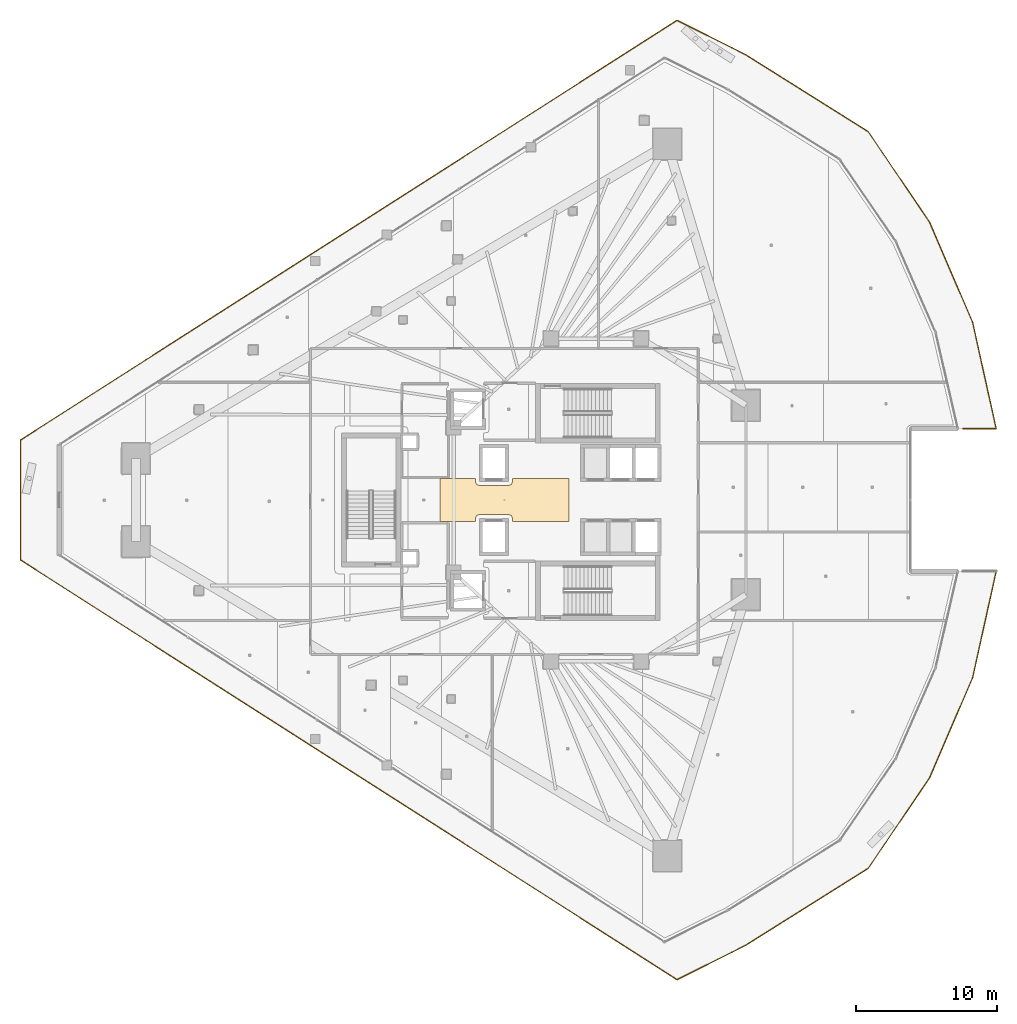
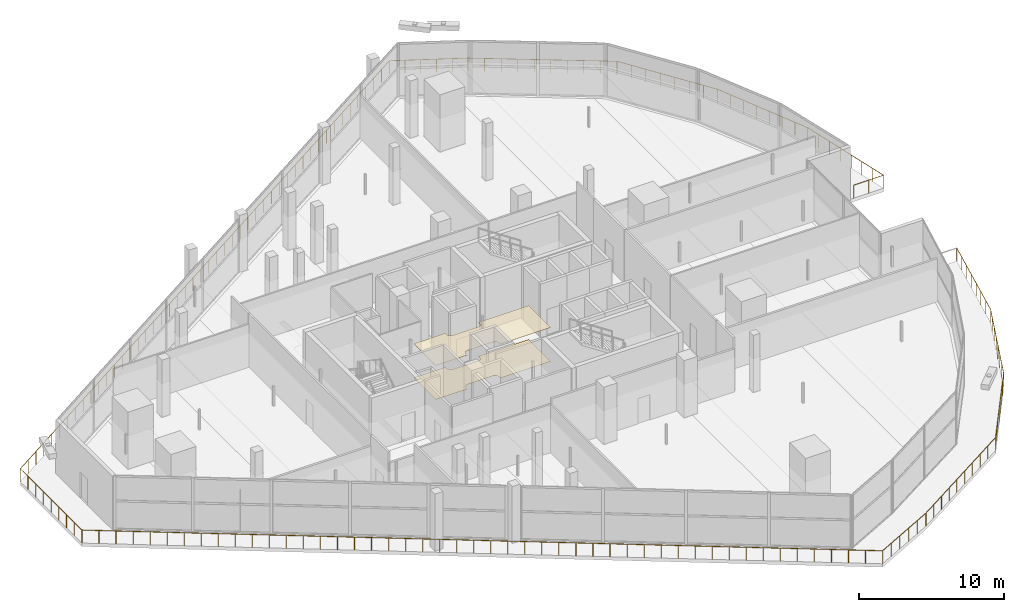
# One storey, part 37 of 42: 2 coverings, 1 railing.
"""IFC4 building model written with IfcOpenShell, lengths in metres."""

from ifc_helpers import new_model, si_unit, direction, frame, origin, origin_2d, place, context, subcontext, project, spatial, polyline, circle, outline, extrude, material, layer, layer_set, type_object, element, save


model = new_model("IFC4")

# Units and contexts
model_context = context("Model", 3, precision=1e-05, world=origin(), true_north=direction((0.0, 1.0)))
body_context = subcontext(model_context, "Body", "Model", "MODEL_VIEW")
ifc_project = project(units=[si_unit("LENGTHUNIT", "METRE"), si_unit("AREAUNIT", "SQUARE_METRE"), si_unit("VOLUMEUNIT", "CUBIC_METRE"), si_unit("PLANEANGLEUNIT", "RADIAN"), si_unit("MASSUNIT", "GRAM", prefix="KILO")], contexts=[model_context])

# Site, building, storey
site_placement = place(None, origin())
site = spatial("IfcSite", under=ifc_project, at=site_placement, CompositionType="ELEMENT")
building_placement = place(site_placement, origin())
building = spatial("IfcBuilding", under=site, at=building_placement, Name="Qorvath Tower", CompositionType="ELEMENT")
storey_placement = place(building_placement, frame((0.0, 0.0, 105.0)))
storey = spatial("IfcBuildingStorey", under=building, at=storey_placement, Name="L23", CompositionType="ELEMENT", Elevation=105.0)

# Coverings
ifc_material_1 = material(Name="Acoustic mineral fibre ceiling tile", Category="gypsum")
ifc_layer_1 = layer(ifc_material_1, 0.030029296875)
ifc_layer_set_1 = layer_set([ifc_layer_1], Name="COV-CEIL")
covering_type_1 = type_object("IfcCoveringType", Name="COV-CEIL", PredefinedType="CEILING", material=ifc_layer_set_1)
covering_1_placement = place(storey_placement, frame((0.0, 0.0, 2.85009765625)))
element("IfcCovering", 1, at=covering_1_placement, inside=storey, type_object=covering_type_1, Name="L23 Suspended Acoustic Ceiling 007", PredefinedType="CEILING", context=body_context, shape_type="SweptSolid", body=[
    extrude(outline(polyline([(-22.318359375, -1.514892578125), (-22.318359375, 1.514892578125), (-26.340087890625, 1.514892578125), (-26.340087890625, 1.2900390625), (-26.413330078125, 1.11328125), (-26.590087890625, 1.0400390625), (-28.7099609375, 1.0400390625), (-28.88671875, 1.11328125), (-28.9599609375, 1.2900390625), (-28.9599609375, 1.514892578125), (-31.481689453125, 1.514892578125), (-31.481689453125, -1.514892578125), (-28.9599609375, -1.514892578125), (-28.9599609375, -1.2900390625), (-28.88671875, -1.11328125), (-28.7099609375, -1.0400390625), (-26.590087890625, -1.0400390625), (-26.413330078125, -1.11328125), (-26.340087890625, -1.2900390625), (-26.340087890625, -1.514892578125), (-22.318359375, -1.514892578125)])), origin(), (0.0, 0.0, 1.0), 0.030029296875),
])
ifc_material_2 = material(Name="Polished epoxy terrazzo flooring", Category="concrete")
ifc_layer_2 = layer(ifc_material_2, 0.02001953125)
ifc_layer_set_2 = layer_set([ifc_layer_2], Name="COV-FLOOR-TRZ")
covering_type_2 = type_object("IfcCoveringType", Name="COV-FLOOR-TRZ", PredefinedType="FLOORING", material=ifc_layer_set_2)
covering_2_placement = place(storey_placement, origin())
element("IfcCovering", 2, at=covering_2_placement, inside=storey, type_object=covering_type_2, Name="L23 Floor Finish 007", PredefinedType="FLOORING", context=body_context, shape_type="SweptSolid", body=[
    extrude(outline(polyline([(-22.318359375, -1.514892578125), (-22.318359375, 1.514892578125), (-26.340087890625, 1.514892578125), (-26.340087890625, 1.2900390625), (-26.413330078125, 1.11328125), (-26.590087890625, 1.0400390625), (-28.7099609375, 1.0400390625), (-28.88671875, 1.11328125), (-28.9599609375, 1.2900390625), (-28.9599609375, 1.514892578125), (-31.481689453125, 1.514892578125), (-31.481689453125, -1.514892578125), (-28.9599609375, -1.514892578125), (-28.9599609375, -1.2900390625), (-28.88671875, -1.11328125), (-28.7099609375, -1.0400390625), (-26.590087890625, -1.0400390625), (-26.413330078125, -1.11328125), (-26.340087890625, -1.2900390625), (-26.340087890625, -1.514892578125), (-22.318359375, -1.514892578125)])), origin(), (0.0, 0.0, 1.0), 0.014892578125),
])

# Railing
ifc_material_3 = material(Name="Laminated safety glass and stainless steel AISI 316", Category="steel")
railing_type = type_object("IfcRailingType", Name="RL-EXT-GRD", PredefinedType="GUARDRAIL", material=ifc_material_3)
railing_placement = place(storey_placement, frame((7.99609375, -5.054443359375, 0.0)))
element("IfcRailing", 3, at=railing_placement, inside=storey, type_object=railing_type, Name="Loggia Perimeter Guardrail L23-1.1", PredefinedType="GUARDRAIL", context=body_context, shape_type="SweptSolid", body=[
    extrude(circle(Radius=0.02392578125, at=origin_2d()), frame((0.0, 0.0, 1.09619140625), z_axis=(-0.216075350806, -0.976376691023, 0.0), x_axis=(0.976376691023, -0.216075350806, 0.0)), (0.0, 0.0, 1.0), 7.73974609375),
    extrude(circle(Radius=0.02392578125, at=origin_2d()), frame((-1.67236328125, -7.556884765625, 1.09619140625), z_axis=(-0.395487177676, -0.918471497812, 0.0), x_axis=(0.918471497812, -0.395487177676, 0.0)), (0.0, 0.0, 1.0), 7.739990234375),
    extrude(circle(Radius=0.02392578125, at=origin_2d()), frame((-4.7333984375, -14.665771484375, 1.09619140625), z_axis=(-0.560806994293, -0.827946565397, 0.0), x_axis=(0.827946565397, -0.560806994293, 0.0)), (0.0, 0.0, 1.0), 7.739990234375),
    extrude(circle(Radius=0.02392578125, at=origin_2d()), frame((-9.073974609375, -21.073974609375, 1.09619140625), z_axis=(-0.846502477186, -0.532384782012, 0.0), x_axis=(0.532384782012, -0.846502477186, 0.0)), (0.0, 0.0, 1.0), 10.292724609375),
    extrude(circle(Radius=0.02392578125, at=origin_2d()), frame((-17.786865234375, -26.5537109375, 1.09619140625), z_axis=(-0.894427191, -0.4472135955, 0.0), x_axis=(0.4472135955, -0.894427191, 0.0)), (0.0, 0.0, 1.0), 5.436767578125),
    extrude(circle(Radius=0.02392578125, at=origin_2d()), frame((-22.649658203125, -28.985107421875, 1.09619140625), z_axis=(-0.842603619866, 0.538534251268, 0.0), x_axis=(-0.538534251268, -0.842603619866, 0.0)), (0.0, 0.0, 1.0), 55.306884765625),
    extrude(circle(Radius=0.02392578125, at=origin_2d()), frame((-69.25146484375, 0.799560546875, 1.09619140625), z_axis=(0.0, 1.0, 0.0), x_axis=(-1.0, 0.0, 0.0)), (0.0, 0.0, 1.0), 8.509765625),
    extrude(circle(Radius=0.02392578125, at=origin_2d()), frame((-69.25146484375, 9.309326171875, 1.09619140625), z_axis=(0.842603619866, 0.538534251268, 0.0), x_axis=(-0.538534251268, 0.842603619866, 0.0)), (0.0, 0.0, 1.0), 55.306884765625),
    extrude(circle(Radius=0.02392578125, at=origin_2d()), frame((-22.649658203125, 39.093994140625, 1.09619140625), z_axis=(0.894427191, -0.4472135955, 0.0), x_axis=(0.4472135955, 0.894427191, 0.0)), (0.0, 0.0, 1.0), 5.436767578125),
    extrude(circle(Radius=0.02392578125, at=origin_2d()), frame((-17.786865234375, 36.66259765625, 1.09619140625), z_axis=(0.846502477186, -0.532384782012, 0.0), x_axis=(0.532384782012, 0.846502477186, 0.0)), (0.0, 0.0, 1.0), 10.292724609375),
    extrude(circle(Radius=0.02392578125, at=origin_2d()), frame((-9.073974609375, 31.182861328125, 1.09619140625), z_axis=(0.560806994293, -0.827946565397, 0.0), x_axis=(0.827946565397, 0.560806994293, 0.0)), (0.0, 0.0, 1.0), 7.739990234375),
    extrude(circle(Radius=0.02392578125, at=origin_2d()), frame((-4.7333984375, 24.774658203125, 1.09619140625), z_axis=(0.395487177676, -0.918471497812, 0.0), x_axis=(0.918471497812, 0.395487177676, 0.0)), (0.0, 0.0, 1.0), 7.739990234375),
    extrude(circle(Radius=0.02392578125, at=origin_2d()), frame((-1.67236328125, 17.665771484375, 1.09619140625), z_axis=(0.216075350806, -0.976376691023, 0.0), x_axis=(0.976376691023, 0.216075350806, 0.0)), (0.0, 0.0, 1.0), 7.73974609375),
    extrude(circle(Radius=0.02392578125, at=origin_2d()), frame((0.0, 10.10888671875, 1.09619140625), z_axis=(-1.0, 0.0, 0.0), x_axis=(0.0, -1.0, 0.0)), (0.0, 0.0, 1.0), 2.366455078125),
    extrude(circle(Radius=0.02099609375, at=origin_2d()), origin(), (0.0, 0.0, 1.0), 1.072021484375),
    extrude(circle(Radius=0.02099609375, at=origin_2d()), frame((-0.239013671875, -1.07958984375, 0.0)), (0.0, 0.0, 1.0), 1.072021484375),
    extrude(circle(Radius=0.02099609375, at=origin_2d()), frame((-0.477783203125, -2.1591796875, 0.0)), (0.0, 0.0, 1.0), 1.072021484375),
    extrude(circle(Radius=0.02099609375, at=origin_2d()), frame((-0.716796875, -3.23876953125, 0.0)), (0.0, 0.0, 1.0), 1.072021484375),
    extrude(circle(Radius=0.02099609375, at=origin_2d()), frame((-0.95556640625, -4.318115234375, 0.0)), (0.0, 0.0, 1.0), 1.072021484375),
    extrude(circle(Radius=0.02099609375, at=origin_2d()), frame((-1.194580078125, -5.397705078125, 0.0)), (0.0, 0.0, 1.0), 1.072021484375),
    extrude(circle(Radius=0.02099609375, at=origin_2d()), frame((-1.433349609375, -6.477294921875, 0.0)), (0.0, 0.0, 1.0), 1.072021484375),
    extrude(circle(Radius=0.02099609375, at=origin_2d()), frame((-1.67236328125, -7.556884765625, 0.0)), (0.0, 0.0, 1.0), 1.072021484375),
    extrude(circle(Radius=0.02099609375, at=origin_2d()), frame((-2.109619140625, -8.572509765625, 0.0)), (0.0, 0.0, 1.0), 1.072021484375),
    extrude(circle(Radius=0.02099609375, at=origin_2d()), frame((-2.546875, -9.587890625, 0.0)), (0.0, 0.0, 1.0), 1.072021484375),
    extrude(circle(Radius=0.02099609375, at=origin_2d()), frame((-2.984130859375, -10.603515625, 0.0)), (0.0, 0.0, 1.0), 1.072021484375),
    extrude(circle(Radius=0.02099609375, at=origin_2d()), frame((-3.421630859375, -11.619140625, 0.0)), (0.0, 0.0, 1.0), 1.072021484375),
    extrude(circle(Radius=0.02099609375, at=origin_2d()), frame((-3.85888671875, -12.634765625, 0.0)), (0.0, 0.0, 1.0), 1.072021484375),
    extrude(circle(Radius=0.02099609375, at=origin_2d()), frame((-4.296142578125, -13.650146484375, 0.0)), (0.0, 0.0, 1.0), 1.072021484375),
    extrude(circle(Radius=0.02099609375, at=origin_2d()), frame((-4.7333984375, -14.665771484375, 0.0)), (0.0, 0.0, 1.0), 1.072021484375),
    extrude(circle(Radius=0.02099609375, at=origin_2d()), frame((-5.353515625, -15.581298828125, 0.0)), (0.0, 0.0, 1.0), 1.072021484375),
    extrude(circle(Radius=0.02099609375, at=origin_2d()), frame((-5.9736328125, -16.49658203125, 0.0)), (0.0, 0.0, 1.0), 1.072021484375),
    extrude(circle(Radius=0.02099609375, at=origin_2d()), frame((-6.59375, -17.412109375, 0.0)), (0.0, 0.0, 1.0), 1.072021484375),
    extrude(circle(Radius=0.02099609375, at=origin_2d()), frame((-7.213623046875, -18.32763671875, 0.0)), (0.0, 0.0, 1.0), 1.072021484375),
    extrude(circle(Radius=0.02099609375, at=origin_2d()), frame((-7.833740234375, -19.2431640625, 0.0)), (0.0, 0.0, 1.0), 1.072021484375),
    extrude(circle(Radius=0.02099609375, at=origin_2d()), frame((-8.453857421875, -20.158447265625, 0.0)), (0.0, 0.0, 1.0), 1.072021484375),
    extrude(circle(Radius=0.02099609375, at=origin_2d()), frame((-9.073974609375, -21.073974609375, 0.0)), (0.0, 0.0, 1.0), 1.072021484375),
    extrude(circle(Radius=0.02099609375, at=origin_2d()), frame((-10.0419921875, -21.682861328125, 0.0)), (0.0, 0.0, 1.0), 1.072021484375),
    extrude(circle(Radius=0.02099609375, at=origin_2d()), frame((-11.01025390625, -22.291748046875, 0.0)), (0.0, 0.0, 1.0), 1.072021484375),
    extrude(circle(Radius=0.02099609375, at=origin_2d()), frame((-11.978271484375, -22.900634765625, 0.0)), (0.0, 0.0, 1.0), 1.072021484375),
    extrude(circle(Radius=0.02099609375, at=origin_2d()), frame((-12.9462890625, -23.509521484375, 0.0)), (0.0, 0.0, 1.0), 1.072021484375),
    extrude(circle(Radius=0.02099609375, at=origin_2d()), frame((-13.91455078125, -24.1181640625, 0.0)), (0.0, 0.0, 1.0), 1.072021484375),
    extrude(circle(Radius=0.02099609375, at=origin_2d()), frame((-14.882568359375, -24.72705078125, 0.0)), (0.0, 0.0, 1.0), 1.072021484375),
    extrude(circle(Radius=0.02099609375, at=origin_2d()), frame((-15.8505859375, -25.3359375, 0.0)), (0.0, 0.0, 1.0), 1.072021484375),
    extrude(circle(Radius=0.02099609375, at=origin_2d()), frame((-16.81884765625, -25.94482421875, 0.0)), (0.0, 0.0, 1.0), 1.072021484375),
    extrude(circle(Radius=0.02099609375, at=origin_2d()), frame((-17.786865234375, -26.5537109375, 0.0)), (0.0, 0.0, 1.0), 1.072021484375),
    extrude(circle(Radius=0.02099609375, at=origin_2d()), frame((-18.759521484375, -27.0400390625, 0.0)), (0.0, 0.0, 1.0), 1.072021484375),
    extrude(circle(Radius=0.02099609375, at=origin_2d()), frame((-19.73193359375, -27.5263671875, 0.0)), (0.0, 0.0, 1.0), 1.072021484375),
    extrude(circle(Radius=0.02099609375, at=origin_2d()), frame((-20.70458984375, -28.012451171875, 0.0)), (0.0, 0.0, 1.0), 1.072021484375),
    extrude(circle(Radius=0.02099609375, at=origin_2d()), frame((-21.677001953125, -28.498779296875, 0.0)), (0.0, 0.0, 1.0), 1.072021484375),
    extrude(circle(Radius=0.02099609375, at=origin_2d()), frame((-22.649658203125, -28.985107421875, 0.0)), (0.0, 0.0, 1.0), 1.072021484375),
    extrude(circle(Radius=0.02099609375, at=origin_2d()), frame((-23.64111328125, -28.351318359375, 0.0)), (0.0, 0.0, 1.0), 1.072021484375),
    extrude(circle(Radius=0.02099609375, at=origin_2d()), frame((-24.6328125, -27.7177734375, 0.0)), (0.0, 0.0, 1.0), 1.072021484375),
    extrude(circle(Radius=0.02099609375, at=origin_2d()), frame((-25.624267578125, -27.083984375, 0.0)), (0.0, 0.0, 1.0), 1.072021484375),
    extrude(circle(Radius=0.02099609375, at=origin_2d()), frame((-26.61572265625, -26.4501953125, 0.0)), (0.0, 0.0, 1.0), 1.072021484375),
    extrude(circle(Radius=0.02099609375, at=origin_2d()), frame((-27.607177734375, -25.81640625, 0.0)), (0.0, 0.0, 1.0), 1.072021484375),
    extrude(circle(Radius=0.02099609375, at=origin_2d()), frame((-28.598876953125, -25.182861328125, 0.0)), (0.0, 0.0, 1.0), 1.072021484375),
    extrude(circle(Radius=0.02099609375, at=origin_2d()), frame((-29.59033203125, -24.549072265625, 0.0)), (0.0, 0.0, 1.0), 1.072021484375),
    extrude(circle(Radius=0.02099609375, at=origin_2d()), frame((-30.581787109375, -23.915283203125, 0.0)), (0.0, 0.0, 1.0), 1.072021484375),
    extrude(circle(Radius=0.02099609375, at=origin_2d()), frame((-31.573486328125, -23.28173828125, 0.0)), (0.0, 0.0, 1.0), 1.072021484375),
    extrude(circle(Radius=0.02099609375, at=origin_2d()), frame((-32.56494140625, -22.64794921875, 0.0)), (0.0, 0.0, 1.0), 1.072021484375),
    extrude(circle(Radius=0.02099609375, at=origin_2d()), frame((-33.556396484375, -22.01416015625, 0.0)), (0.0, 0.0, 1.0), 1.072021484375),
    extrude(circle(Radius=0.02099609375, at=origin_2d()), frame((-34.548095703125, -21.380615234375, 0.0)), (0.0, 0.0, 1.0), 1.072021484375),
    extrude(circle(Radius=0.02099609375, at=origin_2d()), frame((-35.53955078125, -20.746826171875, 0.0)), (0.0, 0.0, 1.0), 1.072021484375),
    extrude(circle(Radius=0.02099609375, at=origin_2d()), frame((-36.531005859375, -20.113037109375, 0.0)), (0.0, 0.0, 1.0), 1.072021484375),
    extrude(circle(Radius=0.02099609375, at=origin_2d()), frame((-37.5224609375, -19.479248046875, 0.0)), (0.0, 0.0, 1.0), 1.072021484375),
    extrude(circle(Radius=0.02099609375, at=origin_2d()), frame((-38.51416015625, -18.845703125, 0.0)), (0.0, 0.0, 1.0), 1.072021484375),
    extrude(circle(Radius=0.02099609375, at=origin_2d()), frame((-39.505615234375, -18.2119140625, 0.0)), (0.0, 0.0, 1.0), 1.072021484375),
    extrude(circle(Radius=0.02099609375, at=origin_2d()), frame((-40.4970703125, -17.578125, 0.0)), (0.0, 0.0, 1.0), 1.072021484375),
    extrude(circle(Radius=0.02099609375, at=origin_2d()), frame((-41.48876953125, -16.944580078125, 0.0)), (0.0, 0.0, 1.0), 1.072021484375),
    extrude(circle(Radius=0.02099609375, at=origin_2d()), frame((-42.480224609375, -16.310791015625, 0.0)), (0.0, 0.0, 1.0), 1.072021484375),
    extrude(circle(Radius=0.02099609375, at=origin_2d()), frame((-43.4716796875, -15.677001953125, 0.0)), (0.0, 0.0, 1.0), 1.072021484375),
    extrude(circle(Radius=0.02099609375, at=origin_2d()), frame((-44.46337890625, -15.04345703125, 0.0)), (0.0, 0.0, 1.0), 1.072021484375),
    extrude(circle(Radius=0.02099609375, at=origin_2d()), frame((-45.454833984375, -14.40966796875, 0.0)), (0.0, 0.0, 1.0), 1.072021484375),
    extrude(circle(Radius=0.02099609375, at=origin_2d()), frame((-46.4462890625, -13.77587890625, 0.0)), (0.0, 0.0, 1.0), 1.072021484375),
    extrude(circle(Radius=0.02099609375, at=origin_2d()), frame((-47.437744140625, -13.14208984375, 0.0)), (0.0, 0.0, 1.0), 1.072021484375),
    extrude(circle(Radius=0.02099609375, at=origin_2d()), frame((-48.429443359375, -12.508544921875, 0.0)), (0.0, 0.0, 1.0), 1.072021484375),
    extrude(circle(Radius=0.02099609375, at=origin_2d()), frame((-49.4208984375, -11.874755859375, 0.0)), (0.0, 0.0, 1.0), 1.072021484375),
    extrude(circle(Radius=0.02099609375, at=origin_2d()), frame((-50.412353515625, -11.240966796875, 0.0)), (0.0, 0.0, 1.0), 1.072021484375),
    extrude(circle(Radius=0.02099609375, at=origin_2d()), frame((-51.404052734375, -10.607421875, 0.0)), (0.0, 0.0, 1.0), 1.072021484375),
    extrude(circle(Radius=0.02099609375, at=origin_2d()), frame((-52.3955078125, -9.9736328125, 0.0)), (0.0, 0.0, 1.0), 1.072021484375),
    extrude(circle(Radius=0.02099609375, at=origin_2d()), frame((-53.386962890625, -9.33984375, 0.0)), (0.0, 0.0, 1.0), 1.072021484375),
    extrude(circle(Radius=0.02099609375, at=origin_2d()), frame((-54.378662109375, -8.706298828125, 0.0)), (0.0, 0.0, 1.0), 1.072021484375),
    extrude(circle(Radius=0.02099609375, at=origin_2d()), frame((-55.3701171875, -8.072509765625, 0.0)), (0.0, 0.0, 1.0), 1.072021484375),
    extrude(circle(Radius=0.02099609375, at=origin_2d()), frame((-56.361572265625, -7.438720703125, 0.0)), (0.0, 0.0, 1.0), 1.072021484375),
    extrude(circle(Radius=0.02099609375, at=origin_2d()), frame((-57.35302734375, -6.804931640625, 0.0)), (0.0, 0.0, 1.0), 1.072021484375),
    extrude(circle(Radius=0.02099609375, at=origin_2d()), frame((-58.3447265625, -6.17138671875, 0.0)), (0.0, 0.0, 1.0), 1.072021484375),
    extrude(circle(Radius=0.02099609375, at=origin_2d()), frame((-59.336181640625, -5.53759765625, 0.0)), (0.0, 0.0, 1.0), 1.072021484375),
    extrude(circle(Radius=0.02099609375, at=origin_2d()), frame((-60.32763671875, -4.90380859375, 0.0)), (0.0, 0.0, 1.0), 1.072021484375),
    extrude(circle(Radius=0.02099609375, at=origin_2d()), frame((-61.3193359375, -4.270263671875, 0.0)), (0.0, 0.0, 1.0), 1.072021484375),
    extrude(circle(Radius=0.02099609375, at=origin_2d()), frame((-62.310791015625, -3.636474609375, 0.0)), (0.0, 0.0, 1.0), 1.072021484375),
    extrude(circle(Radius=0.02099609375, at=origin_2d()), frame((-63.30224609375, -3.002685546875, 0.0)), (0.0, 0.0, 1.0), 1.072021484375),
    extrude(circle(Radius=0.02099609375, at=origin_2d()), frame((-64.2939453125, -2.369140625, 0.0)), (0.0, 0.0, 1.0), 1.072021484375),
    extrude(circle(Radius=0.02099609375, at=origin_2d()), frame((-65.285400390625, -1.7353515625, 0.0)), (0.0, 0.0, 1.0), 1.072021484375),
    extrude(circle(Radius=0.02099609375, at=origin_2d()), frame((-66.27685546875, -1.1015625, 0.0)), (0.0, 0.0, 1.0), 1.072021484375),
    extrude(circle(Radius=0.02099609375, at=origin_2d()), frame((-67.268310546875, -0.4677734375, 0.0)), (0.0, 0.0, 1.0), 1.072021484375),
    extrude(circle(Radius=0.02099609375, at=origin_2d()), frame((-68.260009765625, 0.165771484375, 0.0)), (0.0, 0.0, 1.0), 1.072021484375),
    extrude(circle(Radius=0.02099609375, at=origin_2d()), frame((-69.25146484375, 0.799560546875, 0.0)), (0.0, 0.0, 1.0), 1.072021484375),
    extrude(circle(Radius=0.02099609375, at=origin_2d()), frame((-69.25146484375, 1.86328125, 0.0)), (0.0, 0.0, 1.0), 1.072021484375),
    extrude(circle(Radius=0.02099609375, at=origin_2d()), frame((-69.25146484375, 2.927001953125, 0.0)), (0.0, 0.0, 1.0), 1.072021484375),
    extrude(circle(Radius=0.02099609375, at=origin_2d()), frame((-69.25146484375, 3.99072265625, 0.0)), (0.0, 0.0, 1.0), 1.072021484375),
    extrude(circle(Radius=0.02099609375, at=origin_2d()), frame((-69.25146484375, 5.054443359375, 0.0)), (0.0, 0.0, 1.0), 1.072021484375),
    extrude(circle(Radius=0.02099609375, at=origin_2d()), frame((-69.25146484375, 6.1181640625, 0.0)), (0.0, 0.0, 1.0), 1.072021484375),
    extrude(circle(Radius=0.02099609375, at=origin_2d()), frame((-69.25146484375, 7.181884765625, 0.0)), (0.0, 0.0, 1.0), 1.072021484375),
    extrude(circle(Radius=0.02099609375, at=origin_2d()), frame((-69.25146484375, 8.24560546875, 0.0)), (0.0, 0.0, 1.0), 1.072021484375),
    extrude(circle(Radius=0.02099609375, at=origin_2d()), frame((-69.25146484375, 9.309326171875, 0.0)), (0.0, 0.0, 1.0), 1.072021484375),
    extrude(circle(Radius=0.02099609375, at=origin_2d()), frame((-68.260009765625, 9.943115234375, 0.0)), (0.0, 0.0, 1.0), 1.072021484375),
    extrude(circle(Radius=0.02099609375, at=origin_2d()), frame((-67.268310546875, 10.57666015625, 0.0)), (0.0, 0.0, 1.0), 1.072021484375),
    extrude(circle(Radius=0.02099609375, at=origin_2d()), frame((-66.27685546875, 11.21044921875, 0.0)), (0.0, 0.0, 1.0), 1.072021484375),
    extrude(circle(Radius=0.02099609375, at=origin_2d()), frame((-65.285400390625, 11.84423828125, 0.0)), (0.0, 0.0, 1.0), 1.072021484375),
    extrude(circle(Radius=0.02099609375, at=origin_2d()), frame((-64.2939453125, 12.47802734375, 0.0)), (0.0, 0.0, 1.0), 1.072021484375),
    extrude(circle(Radius=0.02099609375, at=origin_2d()), frame((-63.30224609375, 13.111572265625, 0.0)), (0.0, 0.0, 1.0), 1.072021484375),
    extrude(circle(Radius=0.02099609375, at=origin_2d()), frame((-62.310791015625, 13.745361328125, 0.0)), (0.0, 0.0, 1.0), 1.072021484375),
    extrude(circle(Radius=0.02099609375, at=origin_2d()), frame((-61.3193359375, 14.379150390625, 0.0)), (0.0, 0.0, 1.0), 1.072021484375),
    extrude(circle(Radius=0.02099609375, at=origin_2d()), frame((-60.32763671875, 15.0126953125, 0.0)), (0.0, 0.0, 1.0), 1.072021484375),
    extrude(circle(Radius=0.02099609375, at=origin_2d()), frame((-59.336181640625, 15.646484375, 0.0)), (0.0, 0.0, 1.0), 1.072021484375),
    extrude(circle(Radius=0.02099609375, at=origin_2d()), frame((-58.3447265625, 16.2802734375, 0.0)), (0.0, 0.0, 1.0), 1.072021484375),
    extrude(circle(Radius=0.02099609375, at=origin_2d()), frame((-57.35302734375, 16.913818359375, 0.0)), (0.0, 0.0, 1.0), 1.072021484375),
    extrude(circle(Radius=0.02099609375, at=origin_2d()), frame((-56.361572265625, 17.547607421875, 0.0)), (0.0, 0.0, 1.0), 1.072021484375),
    extrude(circle(Radius=0.02099609375, at=origin_2d()), frame((-55.3701171875, 18.181396484375, 0.0)), (0.0, 0.0, 1.0), 1.072021484375),
    extrude(circle(Radius=0.02099609375, at=origin_2d()), frame((-54.378662109375, 18.815185546875, 0.0)), (0.0, 0.0, 1.0), 1.072021484375),
    extrude(circle(Radius=0.02099609375, at=origin_2d()), frame((-53.386962890625, 19.44873046875, 0.0)), (0.0, 0.0, 1.0), 1.072021484375),
    extrude(circle(Radius=0.02099609375, at=origin_2d()), frame((-52.3955078125, 20.08251953125, 0.0)), (0.0, 0.0, 1.0), 1.072021484375),
    extrude(circle(Radius=0.02099609375, at=origin_2d()), frame((-51.404052734375, 20.71630859375, 0.0)), (0.0, 0.0, 1.0), 1.072021484375),
    extrude(circle(Radius=0.02099609375, at=origin_2d()), frame((-50.412353515625, 21.349853515625, 0.0)), (0.0, 0.0, 1.0), 1.072021484375),
    extrude(circle(Radius=0.02099609375, at=origin_2d()), frame((-49.4208984375, 21.983642578125, 0.0)), (0.0, 0.0, 1.0), 1.072021484375),
    extrude(circle(Radius=0.02099609375, at=origin_2d()), frame((-48.429443359375, 22.617431640625, 0.0)), (0.0, 0.0, 1.0), 1.072021484375),
    extrude(circle(Radius=0.02099609375, at=origin_2d()), frame((-47.437744140625, 23.2509765625, 0.0)), (0.0, 0.0, 1.0), 1.072021484375),
    extrude(circle(Radius=0.02099609375, at=origin_2d()), frame((-46.4462890625, 23.884765625, 0.0)), (0.0, 0.0, 1.0), 1.072021484375),
    extrude(circle(Radius=0.02099609375, at=origin_2d()), frame((-45.454833984375, 24.5185546875, 0.0)), (0.0, 0.0, 1.0), 1.072021484375),
    extrude(circle(Radius=0.02099609375, at=origin_2d()), frame((-44.46337890625, 25.15234375, 0.0)), (0.0, 0.0, 1.0), 1.072021484375),
    extrude(circle(Radius=0.02099609375, at=origin_2d()), frame((-43.4716796875, 25.785888671875, 0.0)), (0.0, 0.0, 1.0), 1.072021484375),
    extrude(circle(Radius=0.02099609375, at=origin_2d()), frame((-42.480224609375, 26.419677734375, 0.0)), (0.0, 0.0, 1.0), 1.072021484375),
    extrude(circle(Radius=0.02099609375, at=origin_2d()), frame((-41.48876953125, 27.053466796875, 0.0)), (0.0, 0.0, 1.0), 1.072021484375),
    extrude(circle(Radius=0.02099609375, at=origin_2d()), frame((-40.4970703125, 27.68701171875, 0.0)), (0.0, 0.0, 1.0), 1.072021484375),
    extrude(circle(Radius=0.02099609375, at=origin_2d()), frame((-39.505615234375, 28.32080078125, 0.0)), (0.0, 0.0, 1.0), 1.072021484375),
    extrude(circle(Radius=0.02099609375, at=origin_2d()), frame((-38.51416015625, 28.95458984375, 0.0)), (0.0, 0.0, 1.0), 1.072021484375),
    extrude(circle(Radius=0.02099609375, at=origin_2d()), frame((-37.5224609375, 29.588134765625, 0.0)), (0.0, 0.0, 1.0), 1.072021484375),
    extrude(circle(Radius=0.02099609375, at=origin_2d()), frame((-36.531005859375, 30.221923828125, 0.0)), (0.0, 0.0, 1.0), 1.072021484375),
    extrude(circle(Radius=0.02099609375, at=origin_2d()), frame((-35.53955078125, 30.855712890625, 0.0)), (0.0, 0.0, 1.0), 1.072021484375),
    extrude(circle(Radius=0.02099609375, at=origin_2d()), frame((-34.548095703125, 31.489501953125, 0.0)), (0.0, 0.0, 1.0), 1.072021484375),
    extrude(circle(Radius=0.02099609375, at=origin_2d()), frame((-33.556396484375, 32.123046875, 0.0)), (0.0, 0.0, 1.0), 1.072021484375),
    extrude(circle(Radius=0.02099609375, at=origin_2d()), frame((-32.56494140625, 32.7568359375, 0.0)), (0.0, 0.0, 1.0), 1.072021484375),
    extrude(circle(Radius=0.02099609375, at=origin_2d()), frame((-31.573486328125, 33.390625, 0.0)), (0.0, 0.0, 1.0), 1.072021484375),
    extrude(circle(Radius=0.02099609375, at=origin_2d()), frame((-30.581787109375, 34.024169921875, 0.0)), (0.0, 0.0, 1.0), 1.072021484375),
    extrude(circle(Radius=0.02099609375, at=origin_2d()), frame((-29.59033203125, 34.657958984375, 0.0)), (0.0, 0.0, 1.0), 1.072021484375),
    extrude(circle(Radius=0.02099609375, at=origin_2d()), frame((-28.598876953125, 35.291748046875, 0.0)), (0.0, 0.0, 1.0), 1.072021484375),
    extrude(circle(Radius=0.02099609375, at=origin_2d()), frame((-27.607177734375, 35.92529296875, 0.0)), (0.0, 0.0, 1.0), 1.072021484375),
    extrude(circle(Radius=0.02099609375, at=origin_2d()), frame((-26.61572265625, 36.55908203125, 0.0)), (0.0, 0.0, 1.0), 1.072021484375),
    extrude(circle(Radius=0.02099609375, at=origin_2d()), frame((-25.624267578125, 37.19287109375, 0.0)), (0.0, 0.0, 1.0), 1.072021484375),
    extrude(circle(Radius=0.02099609375, at=origin_2d()), frame((-24.6328125, 37.82666015625, 0.0)), (0.0, 0.0, 1.0), 1.072021484375),
    extrude(circle(Radius=0.02099609375, at=origin_2d()), frame((-23.64111328125, 38.460205078125, 0.0)), (0.0, 0.0, 1.0), 1.072021484375),
    extrude(circle(Radius=0.02099609375, at=origin_2d()), frame((-22.649658203125, 39.093994140625, 0.0)), (0.0, 0.0, 1.0), 1.072021484375),
    extrude(circle(Radius=0.02099609375, at=origin_2d()), frame((-21.677001953125, 38.607666015625, 0.0)), (0.0, 0.0, 1.0), 1.072021484375),
    extrude(circle(Radius=0.02099609375, at=origin_2d()), frame((-20.70458984375, 38.121337890625, 0.0)), (0.0, 0.0, 1.0), 1.072021484375),
    extrude(circle(Radius=0.02099609375, at=origin_2d()), frame((-19.73193359375, 37.63525390625, 0.0)), (0.0, 0.0, 1.0), 1.072021484375),
    extrude(circle(Radius=0.02099609375, at=origin_2d()), frame((-18.759521484375, 37.14892578125, 0.0)), (0.0, 0.0, 1.0), 1.072021484375),
    extrude(circle(Radius=0.02099609375, at=origin_2d()), frame((-17.786865234375, 36.66259765625, 0.0)), (0.0, 0.0, 1.0), 1.072021484375),
    extrude(circle(Radius=0.02099609375, at=origin_2d()), frame((-16.81884765625, 36.0537109375, 0.0)), (0.0, 0.0, 1.0), 1.072021484375),
    extrude(circle(Radius=0.02099609375, at=origin_2d()), frame((-15.8505859375, 35.44482421875, 0.0)), (0.0, 0.0, 1.0), 1.072021484375),
    extrude(circle(Radius=0.02099609375, at=origin_2d()), frame((-14.882568359375, 34.8359375, 0.0)), (0.0, 0.0, 1.0), 1.072021484375),
    extrude(circle(Radius=0.02099609375, at=origin_2d()), frame((-13.91455078125, 34.22705078125, 0.0)), (0.0, 0.0, 1.0), 1.072021484375),
    extrude(circle(Radius=0.02099609375, at=origin_2d()), frame((-12.9462890625, 33.618408203125, 0.0)), (0.0, 0.0, 1.0), 1.072021484375),
    extrude(circle(Radius=0.02099609375, at=origin_2d()), frame((-11.978271484375, 33.009521484375, 0.0)), (0.0, 0.0, 1.0), 1.072021484375),
    extrude(circle(Radius=0.02099609375, at=origin_2d()), frame((-11.01025390625, 32.400634765625, 0.0)), (0.0, 0.0, 1.0), 1.072021484375),
    extrude(circle(Radius=0.02099609375, at=origin_2d()), frame((-10.0419921875, 31.791748046875, 0.0)), (0.0, 0.0, 1.0), 1.072021484375),
    extrude(circle(Radius=0.02099609375, at=origin_2d()), frame((-9.073974609375, 31.182861328125, 0.0)), (0.0, 0.0, 1.0), 1.072021484375),
    extrude(circle(Radius=0.02099609375, at=origin_2d()), frame((-8.453857421875, 30.267333984375, 0.0)), (0.0, 0.0, 1.0), 1.072021484375),
    extrude(circle(Radius=0.02099609375, at=origin_2d()), frame((-7.833740234375, 29.35205078125, 0.0)), (0.0, 0.0, 1.0), 1.072021484375),
    extrude(circle(Radius=0.02099609375, at=origin_2d()), frame((-7.213623046875, 28.4365234375, 0.0)), (0.0, 0.0, 1.0), 1.072021484375),
    extrude(circle(Radius=0.02099609375, at=origin_2d()), frame((-6.59375, 27.52099609375, 0.0)), (0.0, 0.0, 1.0), 1.072021484375),
    extrude(circle(Radius=0.02099609375, at=origin_2d()), frame((-5.9736328125, 26.60546875, 0.0)), (0.0, 0.0, 1.0), 1.072021484375),
    extrude(circle(Radius=0.02099609375, at=origin_2d()), frame((-5.353515625, 25.690185546875, 0.0)), (0.0, 0.0, 1.0), 1.072021484375),
    extrude(circle(Radius=0.02099609375, at=origin_2d()), frame((-4.7333984375, 24.774658203125, 0.0)), (0.0, 0.0, 1.0), 1.072021484375),
    extrude(circle(Radius=0.02099609375, at=origin_2d()), frame((-4.296142578125, 23.759033203125, 0.0)), (0.0, 0.0, 1.0), 1.072021484375),
    extrude(circle(Radius=0.02099609375, at=origin_2d()), frame((-3.85888671875, 22.74365234375, 0.0)), (0.0, 0.0, 1.0), 1.072021484375),
    extrude(circle(Radius=0.02099609375, at=origin_2d()), frame((-3.421630859375, 21.72802734375, 0.0)), (0.0, 0.0, 1.0), 1.072021484375),
    extrude(circle(Radius=0.02099609375, at=origin_2d()), frame((-2.984130859375, 20.71240234375, 0.0)), (0.0, 0.0, 1.0), 1.072021484375),
    extrude(circle(Radius=0.02099609375, at=origin_2d()), frame((-2.546875, 19.69677734375, 0.0)), (0.0, 0.0, 1.0), 1.072021484375),
    extrude(circle(Radius=0.02099609375, at=origin_2d()), frame((-2.109619140625, 18.681396484375, 0.0)), (0.0, 0.0, 1.0), 1.072021484375),
    extrude(circle(Radius=0.02099609375, at=origin_2d()), frame((-1.67236328125, 17.665771484375, 0.0)), (0.0, 0.0, 1.0), 1.072021484375),
    extrude(circle(Radius=0.02099609375, at=origin_2d()), frame((-1.433349609375, 16.586181640625, 0.0)), (0.0, 0.0, 1.0), 1.072021484375),
    extrude(circle(Radius=0.02099609375, at=origin_2d()), frame((-1.194580078125, 15.506591796875, 0.0)), (0.0, 0.0, 1.0), 1.072021484375),
    extrude(circle(Radius=0.02099609375, at=origin_2d()), frame((-0.95556640625, 14.427001953125, 0.0)), (0.0, 0.0, 1.0), 1.072021484375),
    extrude(circle(Radius=0.02099609375, at=origin_2d()), frame((-0.716796875, 13.34765625, 0.0)), (0.0, 0.0, 1.0), 1.072021484375),
    extrude(circle(Radius=0.02099609375, at=origin_2d()), frame((-0.477783203125, 12.26806640625, 0.0)), (0.0, 0.0, 1.0), 1.072021484375),
    extrude(circle(Radius=0.02099609375, at=origin_2d()), frame((-0.239013671875, 11.1884765625, 0.0)), (0.0, 0.0, 1.0), 1.072021484375),
    extrude(circle(Radius=0.02099609375, at=origin_2d()), frame((0.0, 10.10888671875, 0.0)), (0.0, 0.0, 1.0), 1.072021484375),
    extrude(circle(Radius=0.02099609375, at=origin_2d()), frame((-1.18310546875, 10.10888671875, 0.0)), (0.0, 0.0, 1.0), 1.072021484375),
    extrude(circle(Radius=0.02099609375, at=origin_2d()), frame((-2.366455078125, 10.10888671875, 0.0)), (0.0, 0.0, 1.0), 1.072021484375),
])

save(model, "model.ifc")
